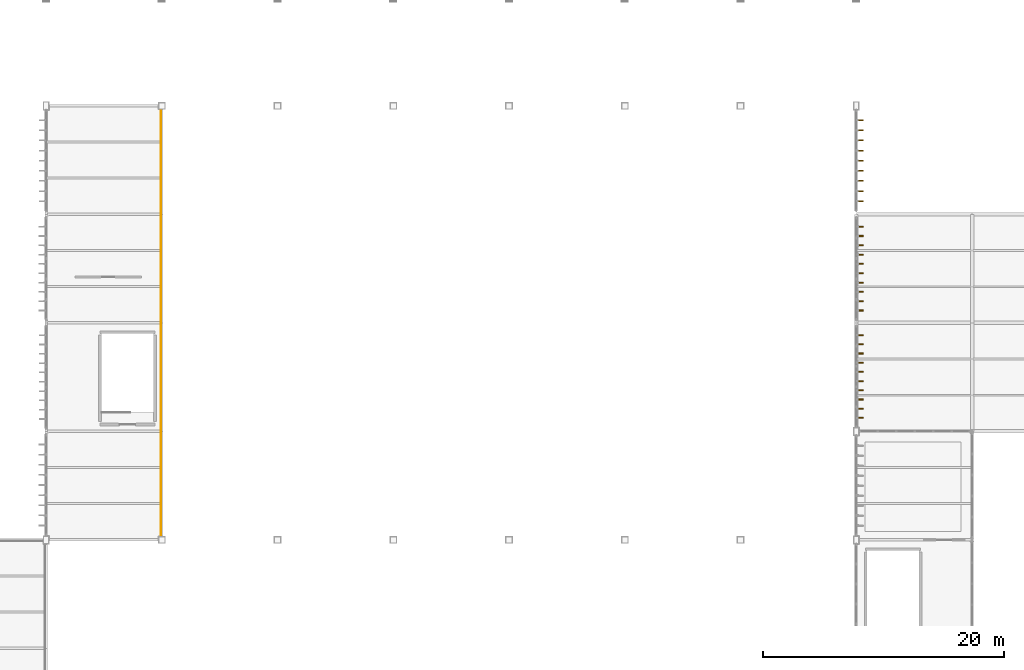
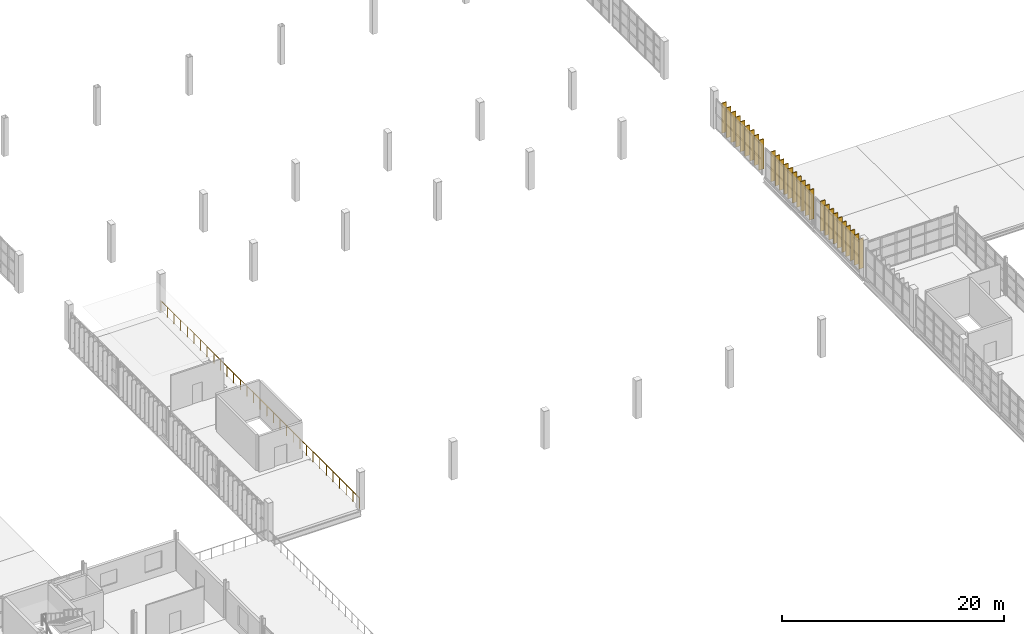
# One storey, part 81 of 82: 29 coverings, 1 railing.
"""IFC4 building model written with IfcOpenShell, lengths in metres."""

from ifc_helpers import new_model, si_unit, direction, frame, origin, origin_2d, place, context, subcontext, project, spatial, rectangle, circle, extrude, material, type_object, element, save


model = new_model("IFC4")

# Units and contexts
model_context = context("Model", 3, precision=1e-05, world=origin(), true_north=direction((0.0, 1.0)))
body_context = subcontext(model_context, "Body", "Model", "MODEL_VIEW")
ifc_project = project(units=[si_unit("LENGTHUNIT", "METRE"), si_unit("AREAUNIT", "SQUARE_METRE"), si_unit("VOLUMEUNIT", "CUBIC_METRE"), si_unit("PLANEANGLEUNIT", "RADIAN"), si_unit("MASSUNIT", "GRAM", prefix="KILO")], contexts=[model_context])

# Site, building, storey
site_placement = place(None, origin())
site = spatial("IfcSite", under=ifc_project, at=site_placement, CompositionType="ELEMENT")
building_placement = place(site_placement, origin())
building = spatial("IfcBuilding", under=site, at=building_placement, Name="Zarnetskaya Central Station", CompositionType="ELEMENT")
storey_placement = place(building_placement, frame((0.0, 0.0, 10.199951171875)))
storey = spatial("IfcBuildingStorey", under=building, at=storey_placement, Name="L02", CompositionType="ELEMENT", Elevation=10.199951171875)

# Coverings
ifc_material_1 = material(Name="Larch glulam GL28h", Category="wood")
covering_type = type_object("IfcCoveringType", Name="COV-LARCH-BLADE", PredefinedType="CLADDING", material=ifc_material_1)
for number, where, z_axis, x_axis, name in (
    (1, (125.1298828125, 39.186279296875, 0.0), (0.0, 0.0, 1.0), (0.0, -1.0, 0.0), "Vertical GL28h larch gable screen blade CW-L02-093-01"),
    (2, (125.1298828125, 38.422607421875, 0.0), (0.0, 0.0, 1.0), (0.0, -1.0, 0.0), "Vertical GL28h larch gable screen blade CW-L02-093-02"),
    (3, (125.1298828125, 37.6591796875, 0.0), (0.0, 0.0, 1.0), (0.0, -1.0, 0.0), "Vertical GL28h larch gable screen blade CW-L02-093-03"),
    (4, (125.1298828125, 36.8955078125, 0.0), (0.0, 0.0, 1.0), (0.0, -1.0, 0.0), "Vertical GL28h larch gable screen blade CW-L02-093-04"),
    (5, (125.1298828125, 36.1318359375, 0.0), (0.0, 0.0, 1.0), (0.0, -1.0, 0.0), "Vertical GL28h larch gable screen blade CW-L02-093-05"),
    (6, (125.1298828125, 35.3681640625, 0.0), (0.0, 0.0, 1.0), (0.0, -1.0, 0.0), "Vertical GL28h larch gable screen blade CW-L02-093-06"),
    (7, (125.1298828125, 34.6044921875, 0.0), (0.0, 0.0, 1.0), (0.0, -1.0, 0.0), "Vertical GL28h larch gable screen blade CW-L02-093-07"),
    (8, (125.1298828125, 33.8408203125, 0.0), (0.0, 0.0, 1.0), (0.0, -1.0, 0.0), "Vertical GL28h larch gable screen blade CW-L02-093-08"),
    (9, (125.1298828125, 33.077392578125, 0.0), (0.0, 0.0, 1.0), (0.0, -1.0, 0.0), "Vertical GL28h larch gable screen blade CW-L02-093-09"),
    (10, (125.1298828125, 32.313720703125, 0.0), (0.0, 0.0, 1.0), (0.0, -1.0, 0.0), "Vertical GL28h larch gable screen blade CW-L02-093-10"),
    (11, (125.14990234375, 48.17724609375, 0.0), (0.0, 0.0, 1.0), (0.0, -1.0, 0.0), "Vertical GL28h larch gable screen blade CW-L02-096-01"),
    (12, (125.14990234375, 47.404541015625, 0.0), (0.0, 0.0, 1.0), (0.0, -1.0, 0.0), "Vertical GL28h larch gable screen blade CW-L02-096-02"),
    (13, (125.14990234375, 46.6318359375, 0.0), (0.0, 0.0, 1.0), (0.0, -1.0, 0.0), "Vertical GL28h larch gable screen blade CW-L02-096-03"),
    (14, (125.14990234375, 45.859130859375, 0.0), (0.0, 0.0, 1.0), (0.0, -1.0, 0.0), "Vertical GL28h larch gable screen blade CW-L02-096-04"),
    (15, (125.14990234375, 45.08642578125, 0.0), (0.0, 0.0, 1.0), (0.0, -1.0, 0.0), "Vertical GL28h larch gable screen blade CW-L02-096-05"),
    (16, (125.14990234375, 44.313720703125, 0.0), (0.0, 0.0, 1.0), (0.0, -1.0, 0.0), "Vertical GL28h larch gable screen blade CW-L02-096-06"),
    (17, (125.14990234375, 43.541015625, 0.0), (0.0, 0.0, 1.0), (0.0, -1.0, 0.0), "Vertical GL28h larch gable screen blade CW-L02-096-07"),
    (18, (125.14990234375, 42.76806640625, 0.0), (0.0, 0.0, 1.0), (0.0, -1.0, 0.0), "Vertical GL28h larch gable screen blade CW-L02-096-08"),
    (19, (125.14990234375, 41.995361328125, 0.0), (0.0, 0.0, 1.0), (0.0, -1.0, 0.0), "Vertical GL28h larch gable screen blade CW-L02-096-09"),
    (20, (125.14990234375, 41.22265625, 0.0), (0.0, 0.0, 1.0), (0.0, -1.0, 0.0), "Vertical GL28h larch gable screen blade CW-L02-096-10"),
    (21, (125.1298828125, 57.010009765625, 0.0), (0.0, 0.0, 1.0), (0.0, -1.0, 0.0), "Vertical GL28h larch gable screen blade CW-L02-099-01"),
    (22, (125.1298828125, 56.169921875, 0.0), (0.0, 0.0, 1.0), (0.0, -1.0, 0.0), "Vertical GL28h larch gable screen blade CW-L02-099-02"),
    (23, (125.1298828125, 55.330078125, 0.0), (0.0, 0.0, 1.0), (0.0, -1.0, 0.0), "Vertical GL28h larch gable screen blade CW-L02-099-03"),
    (24, (125.1298828125, 54.489990234375, 0.0), (0.0, 0.0, 1.0), (0.0, -1.0, 0.0), "Vertical GL28h larch gable screen blade CW-L02-099-04"),
    (25, (125.1298828125, 53.64990234375, 0.0), (0.0, 0.0, 1.0), (0.0, -1.0, 0.0), "Vertical GL28h larch gable screen blade CW-L02-099-05"),
    (26, (125.1298828125, 52.81005859375, 0.0), (0.0, 0.0, 1.0), (0.0, -1.0, 0.0), "Vertical GL28h larch gable screen blade CW-L02-099-06"),
    (27, (125.1298828125, 51.969970703125, 0.0), (0.0, 0.0, 1.0), (0.0, -1.0, 0.0), "Vertical GL28h larch gable screen blade CW-L02-099-07"),
    (28, (125.1298828125, 51.1298828125, 0.0), (0.0, 0.0, 1.0), (0.0, -1.0, 0.0), "Vertical GL28h larch gable screen blade CW-L02-099-08"),
    (29, (125.1298828125, 50.2900390625, 0.0), (0.0, 0.0, 1.0), (0.0, -1.0, 0.0), "Vertical GL28h larch gable screen blade CW-L02-099-09"),
):
    element("IfcCovering", number, at=place(storey_placement, frame(where, z_axis=z_axis, x_axis=x_axis)), inside=storey, type_object=covering_type, Name=name, PredefinedType="CLADDING", context=body_context, shape_type="SweptSolid", body=[
        extrude(rectangle(XDim=0.090087890625, YDim=0.47998046875, at=origin_2d()), origin(), (0.0, 0.0, 1.0), 3.300048828125),
    ])

# Railing
ifc_material_2 = material(Name="Anodised aluminium", Category="aluminium")
railing_type = type_object("IfcRailingType", Name="RAIL-BAL-1150", PredefinedType="BALUSTRADE", material=ifc_material_2)
railing_placement = place(storey_placement, frame((67.1201171875, 22.280029296875, 0.0)))
element("IfcRailing", 30, at=railing_placement, inside=storey, type_object=railing_type, Name="Protective deck balustrade GRD-07", PredefinedType="BALUSTRADE", context=body_context, shape_type="SweptSolid", body=[
    extrude(circle(Radius=0.02392578125, at=origin_2d()), frame((0.0, 0.0, 1.1259765625), z_axis=(0.0, 1.0, 0.0), x_axis=(-1.0, 0.0, 0.0)), (0.0, 0.0, 1.0), 35.840087890625),
    extrude(circle(Radius=0.02099609375, at=origin_2d()), origin(), (0.0, 0.0, 1.0), 1.101806640625),
    extrude(circle(Radius=0.02099609375, at=origin_2d()), frame((0.0, 1.194580078125, 0.0)), (0.0, 0.0, 1.0), 1.101806640625),
    extrude(circle(Radius=0.02099609375, at=origin_2d()), frame((0.0, 2.389404296875, 0.0)), (0.0, 0.0, 1.0), 1.101806640625),
    extrude(circle(Radius=0.02099609375, at=origin_2d()), frame((0.0, 3.583984375, 0.0)), (0.0, 0.0, 1.0), 1.101806640625),
    extrude(circle(Radius=0.02099609375, at=origin_2d()), frame((0.0, 4.778564453125, 0.0)), (0.0, 0.0, 1.0), 1.101806640625),
    extrude(circle(Radius=0.02099609375, at=origin_2d()), frame((0.0, 5.973388671875, 0.0)), (0.0, 0.0, 1.0), 1.101806640625),
    extrude(circle(Radius=0.02099609375, at=origin_2d()), frame((0.0, 7.16796875, 0.0)), (0.0, 0.0, 1.0), 1.101806640625),
    extrude(circle(Radius=0.02099609375, at=origin_2d()), frame((0.0, 8.36279296875, 0.0)), (0.0, 0.0, 1.0), 1.101806640625),
    extrude(circle(Radius=0.02099609375, at=origin_2d()), frame((0.0, 9.557373046875, 0.0)), (0.0, 0.0, 1.0), 1.101806640625),
    extrude(circle(Radius=0.02099609375, at=origin_2d()), frame((0.0, 10.751953125, 0.0)), (0.0, 0.0, 1.0), 1.101806640625),
    extrude(circle(Radius=0.02099609375, at=origin_2d()), frame((0.0, 11.94677734375, 0.0)), (0.0, 0.0, 1.0), 1.101806640625),
    extrude(circle(Radius=0.02099609375, at=origin_2d()), frame((0.0, 13.141357421875, 0.0)), (0.0, 0.0, 1.0), 1.101806640625),
    extrude(circle(Radius=0.02099609375, at=origin_2d()), frame((0.0, 14.3359375, 0.0)), (0.0, 0.0, 1.0), 1.101806640625),
    extrude(circle(Radius=0.02099609375, at=origin_2d()), frame((0.0, 15.53076171875, 0.0)), (0.0, 0.0, 1.0), 1.101806640625),
    extrude(circle(Radius=0.02099609375, at=origin_2d()), frame((0.0, 16.725341796875, 0.0)), (0.0, 0.0, 1.0), 1.101806640625),
    extrude(circle(Radius=0.02099609375, at=origin_2d()), frame((0.0, 17.919921875, 0.0)), (0.0, 0.0, 1.0), 1.101806640625),
    extrude(circle(Radius=0.02099609375, at=origin_2d()), frame((0.0, 19.11474609375, 0.0)), (0.0, 0.0, 1.0), 1.101806640625),
    extrude(circle(Radius=0.02099609375, at=origin_2d()), frame((0.0, 20.309326171875, 0.0)), (0.0, 0.0, 1.0), 1.101806640625),
    extrude(circle(Radius=0.02099609375, at=origin_2d()), frame((0.0, 21.504150390625, 0.0)), (0.0, 0.0, 1.0), 1.101806640625),
    extrude(circle(Radius=0.02099609375, at=origin_2d()), frame((0.0, 22.69873046875, 0.0)), (0.0, 0.0, 1.0), 1.101806640625),
    extrude(circle(Radius=0.02099609375, at=origin_2d()), frame((0.0, 23.893310546875, 0.0)), (0.0, 0.0, 1.0), 1.101806640625),
    extrude(circle(Radius=0.02099609375, at=origin_2d()), frame((0.0, 25.088134765625, 0.0)), (0.0, 0.0, 1.0), 1.101806640625),
    extrude(circle(Radius=0.02099609375, at=origin_2d()), frame((0.0, 26.28271484375, 0.0)), (0.0, 0.0, 1.0), 1.101806640625),
    extrude(circle(Radius=0.02099609375, at=origin_2d()), frame((0.0, 27.477294921875, 0.0)), (0.0, 0.0, 1.0), 1.101806640625),
    extrude(circle(Radius=0.02099609375, at=origin_2d()), frame((0.0, 28.672119140625, 0.0)), (0.0, 0.0, 1.0), 1.101806640625),
    extrude(circle(Radius=0.02099609375, at=origin_2d()), frame((0.0, 29.86669921875, 0.0)), (0.0, 0.0, 1.0), 1.101806640625),
    extrude(circle(Radius=0.02099609375, at=origin_2d()), frame((0.0, 31.0615234375, 0.0)), (0.0, 0.0, 1.0), 1.101806640625),
    extrude(circle(Radius=0.02099609375, at=origin_2d()), frame((0.0, 32.256103515625, 0.0)), (0.0, 0.0, 1.0), 1.101806640625),
    extrude(circle(Radius=0.02099609375, at=origin_2d()), frame((0.0, 33.45068359375, 0.0)), (0.0, 0.0, 1.0), 1.101806640625),
    extrude(circle(Radius=0.02099609375, at=origin_2d()), frame((0.0, 34.6455078125, 0.0)), (0.0, 0.0, 1.0), 1.101806640625),
    extrude(circle(Radius=0.02099609375, at=origin_2d()), frame((0.0, 35.840087890625, 0.0)), (0.0, 0.0, 1.0), 1.101806640625),
])

save(model, "model.ifc")
